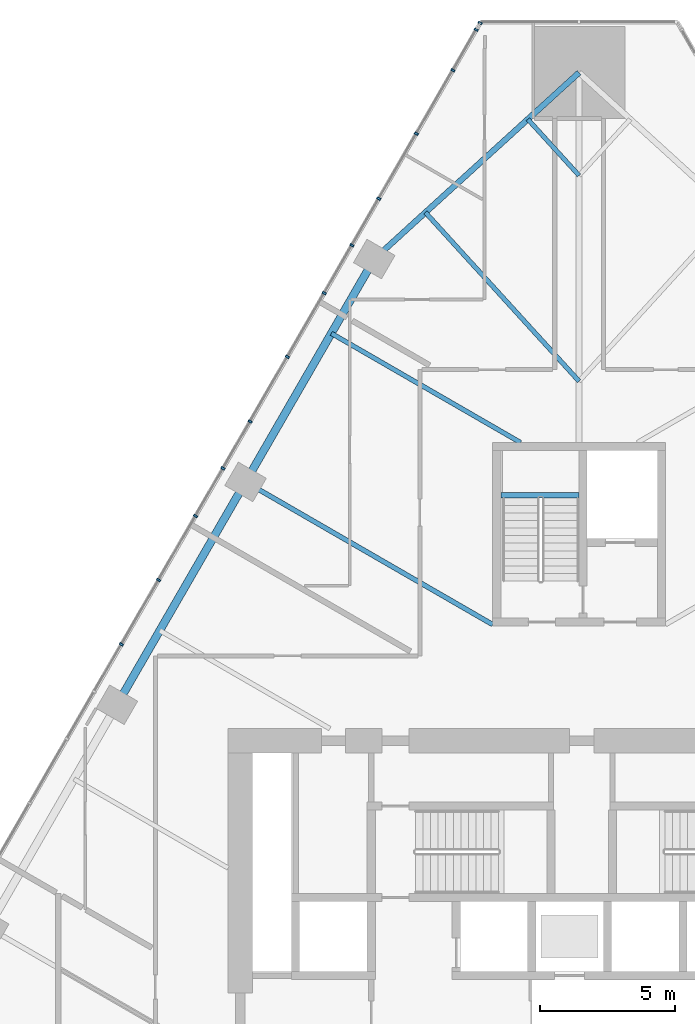
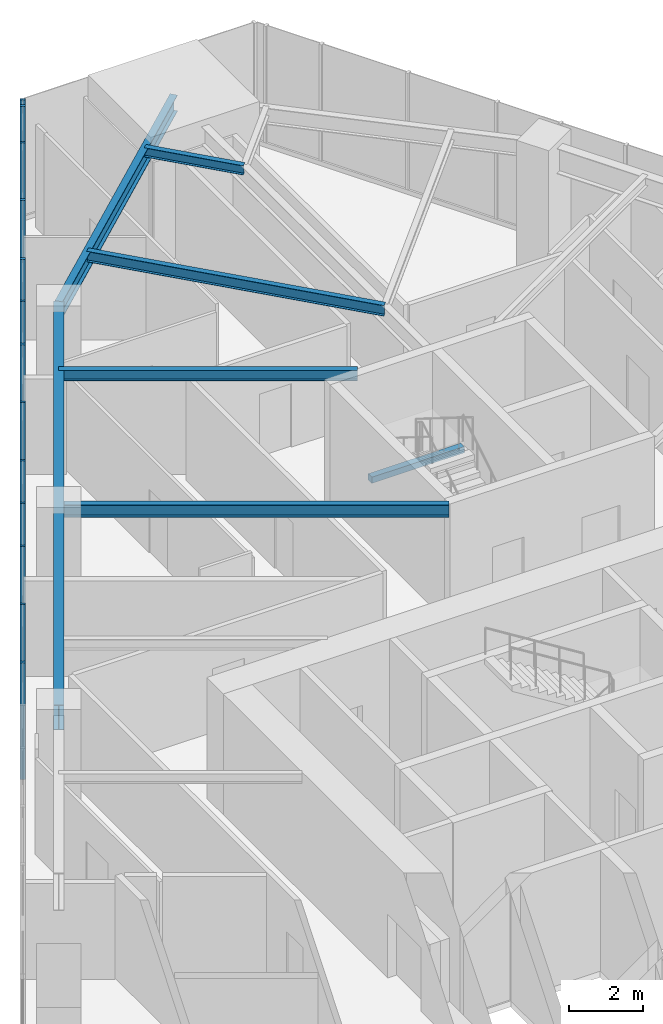
# One storey, part 10 of 25: 13 members, 7 beams, 1 element without a shape of its own.
"""IFC4 building model written with IfcOpenShell, lengths in metres."""

from ifc_helpers import new_model, si_unit, direction, frame, origin, origin_2d, place, context, subcontext, project, spatial, rectangle, i_section, extrude, material, layer, layer_set, material_profile, profile_set, type_object, element, aggregate, save


model = new_model("IFC4")

# Units and contexts
model_context = context("Model", 3, precision=1e-05, world=origin(), true_north=direction((0.0, 1.0)))
body_context = subcontext(model_context, "Body", "Model", "MODEL_VIEW")
ifc_project = project(units=[si_unit("LENGTHUNIT", "METRE"), si_unit("AREAUNIT", "SQUARE_METRE"), si_unit("VOLUMEUNIT", "CUBIC_METRE"), si_unit("PLANEANGLEUNIT", "RADIAN"), si_unit("MASSUNIT", "GRAM", prefix="KILO")], contexts=[model_context])

# Site, building, storey
site_placement = place(None, origin())
site = spatial("IfcSite", under=ifc_project, at=site_placement, CompositionType="ELEMENT")
building_placement = place(site_placement, origin())
building = spatial("IfcBuilding", under=site, at=building_placement, Name="Firuza Gate Tower and Library", CompositionType="ELEMENT")
storey_placement = place(building_placement, frame((0.0, 0.0, 61.0)))
storey = spatial("IfcBuildingStorey", under=building, at=storey_placement, Name="L13", CompositionType="ELEMENT", Elevation=61.0)

# Curtain wall, members
ifc_material_1 = material(Name="Aluminium 6063-T6", Category="aluminium")
ifc_layer = layer(ifc_material_1, 0.14990234375)
ifc_layer_set = layer_set([ifc_layer], Name="Unitised curtain wall, offices")
curtain_wall_type = type_object("IfcCurtainWallType", Name="Unitised curtain wall, offices", PredefinedType="NOTDEFINED", material=ifc_layer_set)
curtain_wall_placement = place(storey_placement, origin())
curtain_wall = element("IfcCurtainWall", 1, at=curtain_wall_placement, inside=storey, type_object=curtain_wall_type, Name="CW1 L13 W face", PredefinedType="NOTDEFINED")
ifc_material_2 = material(Name="Aluminium 6063-T6", Category="aluminium")
ifc_material_profile_1 = material_profile(ifc_material_2, rectangle(XDim=0.14990234375, YDim=0.080078125, at=origin_2d()))
ifc_profile_set_1 = profile_set([ifc_material_profile_1], Name="Aluminium 6063-T6")
member_type = type_object("IfcMemberType", Name="Curtain wall mullion 80x150", PredefinedType="MULLION", material=ifc_profile_set_1)
member_1_placement = place(storey_placement, frame((71.336669921875, 110.147216796875, 0.14990234375), z_axis=(0.0, 0.0, 1.0), x_axis=(0.866025403784, -0.5, 0.0)))
member_1 = element("IfcMember", 2, at=member_1_placement, type_object=member_type, Name="Mullion", PredefinedType="MULLION", context=body_context, shape_type="SweptSolid", body=[
    extrude(rectangle(XDim=0.14990234375, YDim=0.080078125, at=origin_2d()), origin(), (0.0, 0.0, 1.0), 3.85009765625),
])
member_2_placement = place(storey_placement, frame((68.969482421875, 106.047119140625, 0.14990234375), z_axis=(0.0, 0.0, 1.0), x_axis=(0.866025403784, -0.5, 0.0)))
member_2 = element("IfcMember", 3, at=member_2_placement, type_object=member_type, Name="Mullion", PredefinedType="MULLION", context=body_context, shape_type="SweptSolid", body=[
    extrude(rectangle(XDim=0.14990234375, YDim=0.080078125, at=origin_2d()), origin(), (0.0, 0.0, 1.0), 3.85009765625),
])
member_3_placement = place(storey_placement, frame((66.582275390625, 101.912109375, 0.14990234375), z_axis=(0.0, 0.0, 1.0), x_axis=(0.866025403784, -0.5, 0.0)))
member_3 = element("IfcMember", 4, at=member_3_placement, type_object=member_type, Name="Mullion", PredefinedType="MULLION", context=body_context, shape_type="SweptSolid", body=[
    extrude(rectangle(XDim=0.14990234375, YDim=0.080078125, at=origin_2d()), origin(), (0.0, 0.0, 1.0), 3.85009765625),
])
member_4_placement = place(storey_placement, frame((64.195068359375, 97.77734375, 0.14990234375), z_axis=(0.0, 0.0, 1.0), x_axis=(0.866025403784, -0.5, 0.0)))
member_4 = element("IfcMember", 5, at=member_4_placement, type_object=member_type, Name="Mullion", PredefinedType="MULLION", context=body_context, shape_type="SweptSolid", body=[
    extrude(rectangle(XDim=0.14990234375, YDim=0.080078125, at=origin_2d()), origin(), (0.0, 0.0, 1.0), 3.85009765625),
])
member_5_placement = place(storey_placement, frame((61.807861328125, 93.642578125, 0.14990234375), z_axis=(0.0, 0.0, 1.0), x_axis=(0.866025403784, -0.5, 0.0)))
member_5 = element("IfcMember", 6, at=member_5_placement, type_object=member_type, Name="Mullion", PredefinedType="MULLION", context=body_context, shape_type="SweptSolid", body=[
    extrude(rectangle(XDim=0.14990234375, YDim=0.080078125, at=origin_2d()), origin(), (0.0, 0.0, 1.0), 3.85009765625),
])
member_6_placement = place(storey_placement, frame((59.420654296875, 89.5078125, 0.14990234375), z_axis=(0.0, 0.0, 1.0), x_axis=(0.866025403784, -0.5, 0.0)))
member_6 = element("IfcMember", 7, at=member_6_placement, type_object=member_type, Name="Mullion", PredefinedType="MULLION", context=body_context, shape_type="SweptSolid", body=[
    extrude(rectangle(XDim=0.14990234375, YDim=0.080078125, at=origin_2d()), origin(), (0.0, 0.0, 1.0), 3.85009765625),
])
member_7_placement = place(storey_placement, frame((71.191162109375, 109.89501953125, 0.14990234375), z_axis=(0.0, 0.0, 1.0), x_axis=(0.866025403784, -0.5, 0.0)))
member_7 = element("IfcMember", 8, at=member_7_placement, type_object=member_type, Name="Mullion", PredefinedType="MULLION", context=body_context, shape_type="SweptSolid", body=[
    extrude(rectangle(XDim=0.14990234375, YDim=0.080078125, at=origin_2d()), origin(), (0.0, 0.0, 1.0), 3.85009765625),
])
member_8_placement = place(storey_placement, frame((70.324462890625, 108.393798828125, 0.14990234375), z_axis=(0.0, 0.0, 1.0), x_axis=(0.866025403784, -0.5, 0.0)))
member_8 = element("IfcMember", 9, at=member_8_placement, type_object=member_type, Name="Mullion", PredefinedType="MULLION", context=body_context, shape_type="SweptSolid", body=[
    extrude(rectangle(XDim=0.14990234375, YDim=0.080078125, at=origin_2d()), origin(), (0.0, 0.0, 1.0), 3.85009765625),
])
member_9_placement = place(storey_placement, frame((67.578369140625, 103.6376953125, 0.14990234375), z_axis=(0.0, 0.0, 1.0), x_axis=(0.866025403784, -0.5, 0.0)))
member_9 = element("IfcMember", 10, at=member_9_placement, type_object=member_type, Name="Mullion", PredefinedType="MULLION", context=body_context, shape_type="SweptSolid", body=[
    extrude(rectangle(XDim=0.14990234375, YDim=0.080078125, at=origin_2d()), origin(), (0.0, 0.0, 1.0), 3.85009765625),
])
member_10_placement = place(storey_placement, frame((65.55712890625, 100.13671875, 0.14990234375), z_axis=(0.0, 0.0, 1.0), x_axis=(0.866025403784, -0.5, 0.0)))
member_10 = element("IfcMember", 11, at=member_10_placement, type_object=member_type, Name="Mullion", PredefinedType="MULLION", context=body_context, shape_type="SweptSolid", body=[
    extrude(rectangle(XDim=0.14990234375, YDim=0.080078125, at=origin_2d()), origin(), (0.0, 0.0, 1.0), 3.85009765625),
])
member_11_placement = place(storey_placement, frame((62.811279296875, 95.380615234375, 0.14990234375), z_axis=(0.0, 0.0, 1.0), x_axis=(0.866025403784, -0.5, 0.0)))
member_11 = element("IfcMember", 12, at=member_11_placement, type_object=member_type, Name="Mullion", PredefinedType="MULLION", context=body_context, shape_type="SweptSolid", body=[
    extrude(rectangle(XDim=0.14990234375, YDim=0.080078125, at=origin_2d()), origin(), (0.0, 0.0, 1.0), 3.85009765625),
])
member_12_placement = place(storey_placement, frame((60.7900390625, 91.879638671875, 0.14990234375), z_axis=(0.0, 0.0, 1.0), x_axis=(0.866025403784, -0.5, 0.0)))
member_12 = element("IfcMember", 13, at=member_12_placement, type_object=member_type, Name="Mullion", PredefinedType="MULLION", context=body_context, shape_type="SweptSolid", body=[
    extrude(rectangle(XDim=0.14990234375, YDim=0.080078125, at=origin_2d()), origin(), (0.0, 0.0, 1.0), 3.85009765625),
])
member_13_placement = place(storey_placement, frame((58.0439453125, 87.12353515625, 0.14990234375), z_axis=(0.0, 0.0, 1.0), x_axis=(0.866025403784, -0.5, 0.0)))
member_13 = element("IfcMember", 14, at=member_13_placement, type_object=member_type, Name="Mullion", PredefinedType="MULLION", context=body_context, shape_type="SweptSolid", body=[
    extrude(rectangle(XDim=0.14990234375, YDim=0.080078125, at=origin_2d()), origin(), (0.0, 0.0, 1.0), 3.85009765625),
])
aggregate(curtain_wall, [member_1, member_2, member_3, member_4, member_5, member_6, member_7, member_8, member_9, member_10, member_11, member_12, member_13])

# Beams
ifc_material_3 = material(Name="Concrete C35/45", Category="concrete")
ifc_material_profile_2 = material_profile(ifc_material_3, rectangle(XDim=0.199951171875, YDim=0.199951171875, at=origin_2d()))
ifc_profile_set_2 = profile_set([ifc_material_profile_2], Name="Concrete C35/45")
beam_type_1 = type_object("IfcBeamType", Name="Stair landing bearer 200x200", PredefinedType="BEAM", material=ifc_profile_set_2)
beam_1_placement = place(storey_placement, frame((75.0, 92.64990234375, 1.800048828125), z_axis=(-1.0, 0.0, 0.0), x_axis=(0.0, -1.0, 0.0)))
element("IfcBeam", 15, at=beam_1_placement, inside=storey, type_object=beam_type_1, Name="Landing bearer L13 stair 3", PredefinedType="BEAM", context=body_context, shape_type="SweptSolid", body=[
    extrude(rectangle(XDim=0.199951171875, YDim=0.199951171875, at=origin_2d()), origin(), (0.0, 0.0, 1.0), 2.89990234375),
])
ifc_material_4 = material(Name="Steel S355", Category="steel")
ifc_material_profile_3 = material_profile(ifc_material_4, i_section(OverallWidth=0.1650390625, OverallDepth=0.31005859375, WebThickness=0.005859375, FlangeThickness=0.009765625, at=origin_2d()))
ifc_profile_set_3 = profile_set([ifc_material_profile_3], Name="Steel S355")
beam_type_2 = type_object("IfcBeamType", Name="W310x39 Floor beam", PredefinedType="JOIST", material=ifc_profile_set_3)
beam_2_placement = place(storey_placement, frame((73.10302734375, 106.580078125, 3.844970703125), z_axis=(0.673146987304, -0.739508710891, 0.0), x_axis=(0.739508710891, 0.673146987304, 0.0)))
element("IfcBeam", 16, at=beam_2_placement, inside=storey, type_object=beam_type_2, Name="Floor beam L13 s70", PredefinedType="JOIST", context=body_context, shape_type="SweptSolid", body=[
    extrude(i_section(OverallWidth=0.1650390625, OverallDepth=0.31005859375, WebThickness=0.005859375, FlangeThickness=0.009765625, at=origin_2d()), origin(), (0.0, 0.0, 1.0), 2.818115234375),
])
ifc_material_5 = material(Name="Steel S355", Category="steel")
ifc_material_profile_4 = material_profile(ifc_material_5, i_section(OverallWidth=0.1708984375, OverallDepth=0.35498046875, WebThickness=0.007080078125, FlangeThickness=0.01171875, at=origin_2d()))
ifc_profile_set_4 = profile_set([ifc_material_profile_4], Name="Steel S355")
beam_type_3 = type_object("IfcBeamType", Name="W360x51 Floor beam", PredefinedType="JOIST", material=ifc_profile_set_4)
beam_3_placement = place(storey_placement, frame((69.30908203125, 103.12646484375, 3.822509765625), z_axis=(0.673161362913, -0.739495625059, 0.0), x_axis=(0.739495625059, 0.673161362913, 0.0)))
element("IfcBeam", 17, at=beam_3_placement, inside=storey, type_object=beam_type_3, Name="Floor beam L13 s71", PredefinedType="JOIST", context=body_context, shape_type="SweptSolid", body=[
    extrude(i_section(OverallWidth=0.1708984375, OverallDepth=0.35498046875, WebThickness=0.007080078125, FlangeThickness=0.01171875, at=origin_2d()), origin(), (0.0, 0.0, 1.0), 8.4541015625),
])
beam_4_placement = place(storey_placement, frame((65.822998046875, 98.6474609375, 3.822509765625), z_axis=(0.8660258691, -0.499999194049, 0.0), x_axis=(0.499999194049, 0.8660258691, 0.0)))
element("IfcBeam", 18, at=beam_4_placement, inside=storey, type_object=beam_type_3, Name="Floor beam L13 s80", PredefinedType="JOIST", context=body_context, shape_type="SweptSolid", body=[
    extrude(i_section(OverallWidth=0.1708984375, OverallDepth=0.35498046875, WebThickness=0.007080078125, FlangeThickness=0.01171875, at=origin_2d()), origin(), (0.0, 0.0, 1.0), 8.0947265625),
])
ifc_material_6 = material(Name="Steel S355", Category="steel")
ifc_material_profile_5 = material_profile(ifc_material_6, i_section(OverallWidth=0.177978515625, OverallDepth=0.406982421875, WebThickness=0.0078125, FlangeThickness=0.0126953125, at=origin_2d()))
ifc_profile_set_5 = profile_set([ifc_material_profile_5], Name="Steel S355")
beam_type_4 = type_object("IfcBeamType", Name="W410x60 Floor beam", PredefinedType="JOIST", material=ifc_profile_set_5)
beam_5_placement = place(storey_placement, frame((62.64501953125, 93.142578125, 3.79638671875), z_axis=(0.866025981243, -0.499998999811, 0.0), x_axis=(0.499998999811, 0.866025981243, 0.0)))
element("IfcBeam", 19, at=beam_5_placement, inside=storey, type_object=beam_type_4, Name="Floor beam L13 s81", PredefinedType="JOIST", context=body_context, shape_type="SweptSolid", body=[
    extrude(i_section(OverallWidth=0.177978515625, OverallDepth=0.406982421875, WebThickness=0.0078125, FlangeThickness=0.0126953125, at=origin_2d()), origin(), (0.0, 0.0, 1.0), 10.5712890625),
])
ifc_material_7 = material(Name="Steel S355", Category="steel")
ifc_material_profile_6 = material_profile(ifc_material_7, i_section(OverallWidth=0.212890625, OverallDepth=0.5390625, WebThickness=0.01171875, FlangeThickness=0.018798828125, at=origin_2d()))
ifc_profile_set_6 = profile_set([ifc_material_profile_6], Name="Steel S355")
beam_type_5 = type_object("IfcBeamType", Name="W530x109 Edge beam", PredefinedType="SPANDREL", material=ifc_profile_set_6)
beam_6_placement = place(storey_placement, frame((75.0, 108.306884765625, 3.73046875), z_axis=(-0.739496344773, -0.673160572276, 0.0), x_axis=(0.673160572276, -0.739496344773, 0.0)))
element("IfcBeam", 20, at=beam_6_placement, inside=storey, type_object=beam_type_5, Name="Edge beam L13 e70", PredefinedType="SPANDREL", context=body_context, shape_type="SweptSolid", body=[
    extrude(i_section(OverallWidth=0.212890625, OverallDepth=0.5390625, WebThickness=0.01171875, FlangeThickness=0.018798828125, at=origin_2d()), origin(), (0.0, 0.0, 1.0), 10.260986328125),
])
ifc_material_8 = material(Name="Steel S355", Category="steel")
ifc_material_profile_7 = material_profile(ifc_material_8, i_section(OverallWidth=0.2919921875, OverallDepth=0.8349609375, WebThickness=0.013916015625, FlangeThickness=0.018798828125, at=origin_2d()))
ifc_profile_set_7 = profile_set([ifc_material_profile_7], Name="Steel S355")
beam_type_6 = type_object("IfcBeamType", Name="W840x176 Edge beam", PredefinedType="SPANDREL", material=ifc_profile_set_7)
beam_7_placement = place(storey_placement, frame((67.412109375, 101.399658203125, 3.58251953125), z_axis=(-0.499998781384, -0.866026107351, 0.0), x_axis=(0.866026107351, -0.499998781384, 0.0)))
element("IfcBeam", 21, at=beam_7_placement, inside=storey, type_object=beam_type_6, Name="Edge beam L13 e80", PredefinedType="SPANDREL", context=body_context, shape_type="SweptSolid", body=[
    extrude(i_section(OverallWidth=0.2919921875, OverallDepth=0.8349609375, WebThickness=0.013916015625, FlangeThickness=0.018798828125, at=origin_2d()), origin(), (0.0, 0.0, 1.0), 19.06884765625),
])

save(model, "model.ifc")
